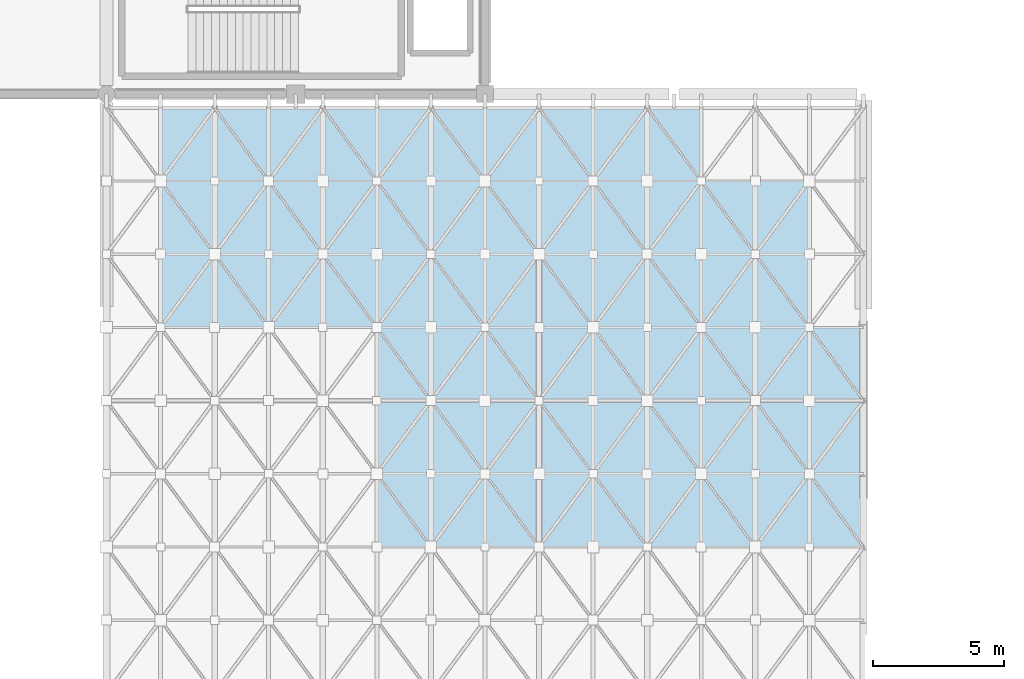
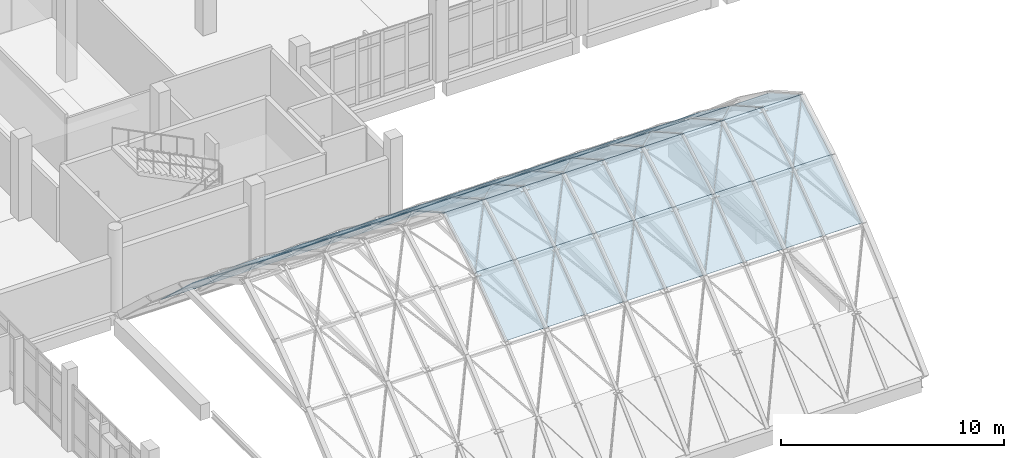
# One storey, part 64 of 87: 61 plates.
"""IFC4 building model written with IfcOpenShell, lengths in metres."""

from ifc_helpers import new_model, si_unit, direction, frame, origin, place, context, subcontext, project, spatial, polyline, outline, extrude, material, layer, layer_set, type_object, element, save


model = new_model("IFC4")

# Units and contexts
model_context = context("Model", 3, precision=1e-05, world=origin(), true_north=direction((0.0, 1.0)))
body_context = subcontext(model_context, "Body", "Model", "MODEL_VIEW")
ifc_project = project(units=[si_unit("LENGTHUNIT", "METRE"), si_unit("AREAUNIT", "SQUARE_METRE"), si_unit("VOLUMEUNIT", "CUBIC_METRE"), si_unit("PLANEANGLEUNIT", "RADIAN"), si_unit("MASSUNIT", "GRAM", prefix="KILO")], contexts=[model_context])

# Site, building, storey
site_placement = place(None, origin())
site = spatial("IfcSite", under=ifc_project, at=site_placement, CompositionType="ELEMENT")
building_placement = place(site_placement, origin())
building = spatial("IfcBuilding", under=site, at=building_placement, Name="Kalluvel Institute of Natural Sciences", CompositionType="ELEMENT")
storey_placement = place(building_placement, frame((0.0, 0.0, 18.89990234375)))
storey = spatial("IfcBuildingStorey", under=building, at=storey_placement, Name="L04", CompositionType="ELEMENT", Elevation=18.89990234375)

# Plates
ifc_material = material(Name="Solar-Control Low-E Laminated Glass", Category="glass")
ifc_layer = layer(ifc_material, 0.035888671875)
ifc_layer_set = layer_set([ifc_layer], Name="Solar-Control Low-E Laminated Glass")
plate_type = type_object("IfcPlateType", Name="PL-VAULT-GLASS-36", PredefinedType="USERDEFINED", material=ifc_layer_set)
plate_1_placement = place(storey_placement, frame((44.857177734375, 85.52490234375, 7.11328125), z_axis=(0.0, 0.591185879843, 0.806535340499), x_axis=(1.0, 0.0, 0.0)))
element("IfcPlate", 1, at=plate_1_placement, inside=storey, type_object=plate_type, Name="Atrium glass gridshell vault roof panel 2.6", ObjectType="VAULT GLAZING PANEL", PredefinedType="USERDEFINED", context=body_context, shape_type="SweptSolid", body=[
    extrude(outline(polyline([(0.0, 0.0), (2.05712890625, 0.0), (2.05712890625, 3.4532352274567204), (0.0, 3.4532352274567204), (0.0, 0.0)])), origin(), (0.0, 0.0, -1.0), 0.035888671875),
])
plate_2_placement = place(storey_placement, frame((44.857177734375, 88.31005859375, 5.07177734375), z_axis=(0.0, 0.651732680748, 0.758448754264), x_axis=(1.0, 0.0, 0.0)))
element("IfcPlate", 2, at=plate_2_placement, inside=storey, type_object=plate_type, Name="Atrium glass gridshell vault roof panel 2.7", ObjectType="VAULT GLAZING PANEL", PredefinedType="USERDEFINED", context=body_context, shape_type="SweptSolid", body=[
    extrude(outline(polyline([(0.0, 0.0), (2.05712890625, 0.0), (2.05712890625, 3.6718527042442486), (0.0, 3.6718527042442486), (0.0, 0.0)])), origin(), (0.0, 0.0, -1.0), 0.035888671875),
])
plate_3_placement = place(storey_placement, frame((44.857177734375, 91.094970703125, 2.6787109375), z_axis=(0.0, 0.680098507525, 0.73312074044), x_axis=(1.0, 0.0, 0.0)))
element("IfcPlate", 3, at=plate_3_placement, inside=storey, type_object=plate_type, Name="Atrium glass gridshell vault roof panel 2.8", ObjectType="VAULT GLAZING PANEL", PredefinedType="USERDEFINED", context=body_context, shape_type="SweptSolid", body=[
    extrude(outline(polyline([(0.0, 0.0), (2.05712890625, 0.0), (2.05712890625, 3.798708665239415), (0.0, 3.798708665239415), (0.0, 0.0)])), origin(), (0.0, 0.0, -1.0), 0.035888671875),
])
plate_4_placement = place(storey_placement, frame((46.914306640625, 85.52490234375, 7.11328125), z_axis=(0.0, 0.591185879843, 0.806535340499), x_axis=(1.0, 0.0, 0.0)))
element("IfcPlate", 4, at=plate_4_placement, inside=storey, type_object=plate_type, Name="Atrium glass gridshell vault roof panel 3.6", ObjectType="VAULT GLAZING PANEL", PredefinedType="USERDEFINED", context=body_context, shape_type="SweptSolid", body=[
    extrude(outline(polyline([(0.0, 0.0), (2.05712890625, 0.0), (2.05712890625, 3.4532352274567204), (0.0, 3.4532352274567204), (0.0, 0.0)])), origin(), (0.0, 0.0, -1.0), 0.035888671875),
])
plate_5_placement = place(storey_placement, frame((46.914306640625, 88.31005859375, 5.07177734375), z_axis=(0.0, 0.651732680748, 0.758448754264), x_axis=(1.0, 0.0, 0.0)))
element("IfcPlate", 5, at=plate_5_placement, inside=storey, type_object=plate_type, Name="Atrium glass gridshell vault roof panel 3.7", ObjectType="VAULT GLAZING PANEL", PredefinedType="USERDEFINED", context=body_context, shape_type="SweptSolid", body=[
    extrude(outline(polyline([(0.0, 0.0), (2.05712890625, 0.0), (2.05712890625, 3.6718527042442486), (0.0, 3.6718527042442486), (0.0, 0.0)])), origin(), (0.0, 0.0, -1.0), 0.035888671875),
])
plate_6_placement = place(storey_placement, frame((46.914306640625, 91.094970703125, 2.6787109375), z_axis=(0.0, 0.680098507525, 0.73312074044), x_axis=(1.0, 0.0, 0.0)))
element("IfcPlate", 6, at=plate_6_placement, inside=storey, type_object=plate_type, Name="Atrium glass gridshell vault roof panel 3.8", ObjectType="VAULT GLAZING PANEL", PredefinedType="USERDEFINED", context=body_context, shape_type="SweptSolid", body=[
    extrude(outline(polyline([(0.0, 0.0), (2.05712890625, 0.0), (2.05712890625, 3.798708665239415), (0.0, 3.798708665239415), (0.0, 0.0)])), origin(), (0.0, 0.0, -1.0), 0.035888671875),
])
plate_7_placement = place(storey_placement, frame((48.971435546875, 85.52490234375, 7.11328125), z_axis=(0.0, 0.591185879843, 0.806535340499), x_axis=(1.0, 0.0, 0.0)))
element("IfcPlate", 7, at=plate_7_placement, inside=storey, type_object=plate_type, Name="Atrium glass gridshell vault roof panel 4.6", ObjectType="VAULT GLAZING PANEL", PredefinedType="USERDEFINED", context=body_context, shape_type="SweptSolid", body=[
    extrude(outline(polyline([(0.0, 0.0), (2.05712890625, 0.0), (2.05712890625, 3.4532352274567204), (0.0, 3.4532352274567204), (0.0, 0.0)])), origin(), (0.0, 0.0, -1.0), 0.035888671875),
])
plate_8_placement = place(storey_placement, frame((48.971435546875, 88.31005859375, 5.07177734375), z_axis=(0.0, 0.651732680748, 0.758448754264), x_axis=(1.0, 0.0, 0.0)))
element("IfcPlate", 8, at=plate_8_placement, inside=storey, type_object=plate_type, Name="Atrium glass gridshell vault roof panel 4.7", ObjectType="VAULT GLAZING PANEL", PredefinedType="USERDEFINED", context=body_context, shape_type="SweptSolid", body=[
    extrude(outline(polyline([(0.0, 0.0), (2.05712890625, 0.0), (2.05712890625, 3.6718527042442486), (0.0, 3.6718527042442486), (0.0, 0.0)])), origin(), (0.0, 0.0, -1.0), 0.035888671875),
])
plate_9_placement = place(storey_placement, frame((48.971435546875, 91.094970703125, 2.6787109375), z_axis=(0.0, 0.680098507525, 0.73312074044), x_axis=(1.0, 0.0, 0.0)))
element("IfcPlate", 9, at=plate_9_placement, inside=storey, type_object=plate_type, Name="Atrium glass gridshell vault roof panel 4.8", ObjectType="VAULT GLAZING PANEL", PredefinedType="USERDEFINED", context=body_context, shape_type="SweptSolid", body=[
    extrude(outline(polyline([(0.0, 0.0), (2.05712890625, 0.0), (2.05712890625, 3.798708665239415), (0.0, 3.798708665239415), (0.0, 0.0)])), origin(), (0.0, 0.0, -1.0), 0.035888671875),
])
plate_10_placement = place(storey_placement, frame((51.028564453125, 85.52490234375, 7.11328125), z_axis=(0.0, 0.591185879843, 0.806535340499), x_axis=(1.0, 0.0, 0.0)))
element("IfcPlate", 10, at=plate_10_placement, inside=storey, type_object=plate_type, Name="Atrium glass gridshell vault roof panel 5.6", ObjectType="VAULT GLAZING PANEL", PredefinedType="USERDEFINED", context=body_context, shape_type="SweptSolid", body=[
    extrude(outline(polyline([(0.0, 0.0), (2.05712890625, 0.0), (2.05712890625, 3.4532352274567204), (0.0, 3.4532352274567204), (0.0, 0.0)])), origin(), (0.0, 0.0, -1.0), 0.035888671875),
])
plate_11_placement = place(storey_placement, frame((51.028564453125, 88.31005859375, 5.07177734375), z_axis=(0.0, 0.651732680748, 0.758448754264), x_axis=(1.0, 0.0, 0.0)))
element("IfcPlate", 11, at=plate_11_placement, inside=storey, type_object=plate_type, Name="Atrium glass gridshell vault roof panel 5.7", ObjectType="VAULT GLAZING PANEL", PredefinedType="USERDEFINED", context=body_context, shape_type="SweptSolid", body=[
    extrude(outline(polyline([(0.0, 0.0), (2.05712890625, 0.0), (2.05712890625, 3.6718527042442486), (0.0, 3.6718527042442486), (0.0, 0.0)])), origin(), (0.0, 0.0, -1.0), 0.035888671875),
])
plate_12_placement = place(storey_placement, frame((51.028564453125, 91.094970703125, 2.6787109375), z_axis=(0.0, 0.680098507525, 0.73312074044), x_axis=(1.0, 0.0, 0.0)))
element("IfcPlate", 12, at=plate_12_placement, inside=storey, type_object=plate_type, Name="Atrium glass gridshell vault roof panel 5.8", ObjectType="VAULT GLAZING PANEL", PredefinedType="USERDEFINED", context=body_context, shape_type="SweptSolid", body=[
    extrude(outline(polyline([(0.0, 0.0), (2.05712890625, 0.0), (2.05712890625, 3.798708665239415), (0.0, 3.798708665239415), (0.0, 0.0)])), origin(), (0.0, 0.0, -1.0), 0.035888671875),
])
plate_13_placement = place(storey_placement, frame((53.085693359375, 77.169921875, 5.07177734375), z_axis=(0.0, -0.591185879843, 0.806535340499), x_axis=(1.0, 0.0, 0.0)))
element("IfcPlate", 13, at=plate_13_placement, inside=storey, type_object=plate_type, Name="Atrium glass gridshell vault roof panel 6.3", ObjectType="VAULT GLAZING PANEL", PredefinedType="USERDEFINED", context=body_context, shape_type="SweptSolid", body=[
    extrude(outline(polyline([(0.0, 0.0), (2.05712890625, 0.0), (2.05712890625, 3.4532352274567204), (0.0, 3.4532352274567204), (0.0, 0.0)])), origin(), (0.0, 0.0, -1.0), 0.035888671875),
])
for number, where, z_axis, x_axis, name in (
    (14, (53.085693359375, 79.955078125, 7.11328125), (0.0, -0.493879746442, 0.869530215722), (1.0, 0.0, 0.0), "Atrium glass gridshell vault roof panel 6.4"),
    (15, (53.085693359375, 82.739990234375, 8.695068359375), (0.0, 0.493879746442, 0.869530215722), (1.0, 0.0, 0.0), "Atrium glass gridshell vault roof panel 6.5"),
):
    element("IfcPlate", number, at=place(storey_placement, frame(where, z_axis=z_axis, x_axis=x_axis)), inside=storey, type_object=plate_type, Name=name, ObjectType="VAULT GLAZING PANEL", PredefinedType="USERDEFINED", context=body_context, shape_type="SweptSolid", body=[
        extrude(outline(polyline([(0.0, 0.0), (2.05712890625, 0.0), (2.05712890625, 3.2027778437363446), (0.0, 3.2027778437363446), (0.0, 0.0)])), origin(), (0.0, 0.0, -1.0), 0.035888671875),
    ])
plate_14_placement = place(storey_placement, frame((53.085693359375, 85.52490234375, 7.11328125), z_axis=(0.0, 0.591185879843, 0.806535340499), x_axis=(1.0, 0.0, 0.0)))
element("IfcPlate", 16, at=plate_14_placement, inside=storey, type_object=plate_type, Name="Atrium glass gridshell vault roof panel 6.6", ObjectType="VAULT GLAZING PANEL", PredefinedType="USERDEFINED", context=body_context, shape_type="SweptSolid", body=[
    extrude(outline(polyline([(0.0, 0.0), (2.05712890625, 0.0), (2.05712890625, 3.4532352274567204), (0.0, 3.4532352274567204), (0.0, 0.0)])), origin(), (0.0, 0.0, -1.0), 0.035888671875),
])
plate_15_placement = place(storey_placement, frame((53.085693359375, 88.31005859375, 5.07177734375), z_axis=(0.0, 0.651732680748, 0.758448754264), x_axis=(1.0, 0.0, 0.0)))
element("IfcPlate", 17, at=plate_15_placement, inside=storey, type_object=plate_type, Name="Atrium glass gridshell vault roof panel 6.7", ObjectType="VAULT GLAZING PANEL", PredefinedType="USERDEFINED", context=body_context, shape_type="SweptSolid", body=[
    extrude(outline(polyline([(0.0, 0.0), (2.05712890625, 0.0), (2.05712890625, 3.6718527042442486), (0.0, 3.6718527042442486), (0.0, 0.0)])), origin(), (0.0, 0.0, -1.0), 0.035888671875),
])
plate_16_placement = place(storey_placement, frame((53.085693359375, 91.094970703125, 2.6787109375), z_axis=(0.0, 0.680098507525, 0.73312074044), x_axis=(1.0, 0.0, 0.0)))
element("IfcPlate", 18, at=plate_16_placement, inside=storey, type_object=plate_type, Name="Atrium glass gridshell vault roof panel 6.8", ObjectType="VAULT GLAZING PANEL", PredefinedType="USERDEFINED", context=body_context, shape_type="SweptSolid", body=[
    extrude(outline(polyline([(0.0, 0.0), (2.05712890625, 0.0), (2.05712890625, 3.798708665239415), (0.0, 3.798708665239415), (0.0, 0.0)])), origin(), (0.0, 0.0, -1.0), 0.035888671875),
])
plate_17_placement = place(storey_placement, frame((55.142822265625, 77.169921875, 5.07177734375), z_axis=(0.0, -0.591185879843, 0.806535340499), x_axis=(1.0, 0.0, 0.0)))
element("IfcPlate", 19, at=plate_17_placement, inside=storey, type_object=plate_type, Name="Atrium glass gridshell vault roof panel 7.3", ObjectType="VAULT GLAZING PANEL", PredefinedType="USERDEFINED", context=body_context, shape_type="SweptSolid", body=[
    extrude(outline(polyline([(0.0, 0.0), (2.05712890625, 0.0), (2.05712890625, 3.4532352274567204), (0.0, 3.4532352274567204), (0.0, 0.0)])), origin(), (0.0, 0.0, -1.0), 0.035888671875),
])
for number, where, z_axis, x_axis, name in (
    (20, (55.142822265625, 79.955078125, 7.11328125), (0.0, -0.493879746442, 0.869530215722), (1.0, 0.0, 0.0), "Atrium glass gridshell vault roof panel 7.4"),
    (21, (55.142822265625, 82.739990234375, 8.695068359375), (0.0, 0.493879746442, 0.869530215722), (1.0, 0.0, 0.0), "Atrium glass gridshell vault roof panel 7.5"),
):
    element("IfcPlate", number, at=place(storey_placement, frame(where, z_axis=z_axis, x_axis=x_axis)), inside=storey, type_object=plate_type, Name=name, ObjectType="VAULT GLAZING PANEL", PredefinedType="USERDEFINED", context=body_context, shape_type="SweptSolid", body=[
        extrude(outline(polyline([(0.0, 0.0), (2.05712890625, 0.0), (2.05712890625, 3.2027778437363446), (0.0, 3.2027778437363446), (0.0, 0.0)])), origin(), (0.0, 0.0, -1.0), 0.035888671875),
    ])
plate_18_placement = place(storey_placement, frame((55.142822265625, 85.52490234375, 7.11328125), z_axis=(0.0, 0.591185879843, 0.806535340499), x_axis=(1.0, 0.0, 0.0)))
element("IfcPlate", 22, at=plate_18_placement, inside=storey, type_object=plate_type, Name="Atrium glass gridshell vault roof panel 7.6", ObjectType="VAULT GLAZING PANEL", PredefinedType="USERDEFINED", context=body_context, shape_type="SweptSolid", body=[
    extrude(outline(polyline([(0.0, 0.0), (2.05712890625, 0.0), (2.05712890625, 3.4532352274567204), (0.0, 3.4532352274567204), (0.0, 0.0)])), origin(), (0.0, 0.0, -1.0), 0.035888671875),
])
plate_19_placement = place(storey_placement, frame((55.142822265625, 88.31005859375, 5.07177734375), z_axis=(0.0, 0.651732680748, 0.758448754264), x_axis=(1.0, 0.0, 0.0)))
element("IfcPlate", 23, at=plate_19_placement, inside=storey, type_object=plate_type, Name="Atrium glass gridshell vault roof panel 7.7", ObjectType="VAULT GLAZING PANEL", PredefinedType="USERDEFINED", context=body_context, shape_type="SweptSolid", body=[
    extrude(outline(polyline([(0.0, 0.0), (2.05712890625, 0.0), (2.05712890625, 3.6718527042442486), (0.0, 3.6718527042442486), (0.0, 0.0)])), origin(), (0.0, 0.0, -1.0), 0.035888671875),
])
plate_20_placement = place(storey_placement, frame((55.142822265625, 91.094970703125, 2.6787109375), z_axis=(0.0, 0.680098507525, 0.73312074044), x_axis=(1.0, 0.0, 0.0)))
element("IfcPlate", 24, at=plate_20_placement, inside=storey, type_object=plate_type, Name="Atrium glass gridshell vault roof panel 7.8", ObjectType="VAULT GLAZING PANEL", PredefinedType="USERDEFINED", context=body_context, shape_type="SweptSolid", body=[
    extrude(outline(polyline([(0.0, 0.0), (2.05712890625, 0.0), (2.05712890625, 3.798708665239415), (0.0, 3.798708665239415), (0.0, 0.0)])), origin(), (0.0, 0.0, -1.0), 0.035888671875),
])
plate_21_placement = place(storey_placement, frame((57.199951171875, 77.169921875, 5.07177734375), z_axis=(0.0, -0.591185879843, 0.806535340499), x_axis=(1.0, 0.0, 0.0)))
element("IfcPlate", 25, at=plate_21_placement, inside=storey, type_object=plate_type, Name="Atrium glass gridshell vault roof panel 8.3", ObjectType="VAULT GLAZING PANEL", PredefinedType="USERDEFINED", context=body_context, shape_type="SweptSolid", body=[
    extrude(outline(polyline([(0.0, 0.0), (2.05712890625, 0.0), (2.05712890625, 3.4532352274567204), (0.0, 3.4532352274567204), (0.0, 0.0)])), origin(), (0.0, 0.0, -1.0), 0.035888671875),
])
for number, where, z_axis, x_axis, name in (
    (26, (57.199951171875, 79.955078125, 7.11328125), (0.0, -0.493879746442, 0.869530215722), (1.0, 0.0, 0.0), "Atrium glass gridshell vault roof panel 8.4"),
    (27, (57.199951171875, 82.739990234375, 8.695068359375), (0.0, 0.493879746442, 0.869530215722), (1.0, 0.0, 0.0), "Atrium glass gridshell vault roof panel 8.5"),
):
    element("IfcPlate", number, at=place(storey_placement, frame(where, z_axis=z_axis, x_axis=x_axis)), inside=storey, type_object=plate_type, Name=name, ObjectType="VAULT GLAZING PANEL", PredefinedType="USERDEFINED", context=body_context, shape_type="SweptSolid", body=[
        extrude(outline(polyline([(0.0, 0.0), (2.05712890625, 0.0), (2.05712890625, 3.2027778437363446), (0.0, 3.2027778437363446), (0.0, 0.0)])), origin(), (0.0, 0.0, -1.0), 0.035888671875),
    ])
plate_22_placement = place(storey_placement, frame((57.199951171875, 85.52490234375, 7.11328125), z_axis=(0.0, 0.591185879843, 0.806535340499), x_axis=(1.0, 0.0, 0.0)))
element("IfcPlate", 28, at=plate_22_placement, inside=storey, type_object=plate_type, Name="Atrium glass gridshell vault roof panel 8.6", ObjectType="VAULT GLAZING PANEL", PredefinedType="USERDEFINED", context=body_context, shape_type="SweptSolid", body=[
    extrude(outline(polyline([(0.0, 0.0), (2.05712890625, 0.0), (2.05712890625, 3.4532352274567204), (0.0, 3.4532352274567204), (0.0, 0.0)])), origin(), (0.0, 0.0, -1.0), 0.035888671875),
])
plate_23_placement = place(storey_placement, frame((57.199951171875, 88.31005859375, 5.07177734375), z_axis=(0.0, 0.651732680748, 0.758448754264), x_axis=(1.0, 0.0, 0.0)))
element("IfcPlate", 29, at=plate_23_placement, inside=storey, type_object=plate_type, Name="Atrium glass gridshell vault roof panel 8.7", ObjectType="VAULT GLAZING PANEL", PredefinedType="USERDEFINED", context=body_context, shape_type="SweptSolid", body=[
    extrude(outline(polyline([(0.0, 0.0), (2.05712890625, 0.0), (2.05712890625, 3.6718527042442486), (0.0, 3.6718527042442486), (0.0, 0.0)])), origin(), (0.0, 0.0, -1.0), 0.035888671875),
])
plate_24_placement = place(storey_placement, frame((57.199951171875, 91.094970703125, 2.6787109375), z_axis=(0.0, 0.680098507525, 0.73312074044), x_axis=(1.0, 0.0, 0.0)))
element("IfcPlate", 30, at=plate_24_placement, inside=storey, type_object=plate_type, Name="Atrium glass gridshell vault roof panel 8.8", ObjectType="VAULT GLAZING PANEL", PredefinedType="USERDEFINED", context=body_context, shape_type="SweptSolid", body=[
    extrude(outline(polyline([(0.0, 0.0), (2.05712890625, 0.0), (2.05712890625, 3.798708665239415), (0.0, 3.798708665239415), (0.0, 0.0)])), origin(), (0.0, 0.0, -1.0), 0.035888671875),
])
plate_25_placement = place(storey_placement, frame((59.257080078125, 77.169921875, 5.07177734375), z_axis=(0.0, -0.591185879843, 0.806535340499), x_axis=(1.0, 0.0, 0.0)))
element("IfcPlate", 31, at=plate_25_placement, inside=storey, type_object=plate_type, Name="Atrium glass gridshell vault roof panel 9.3", ObjectType="VAULT GLAZING PANEL", PredefinedType="USERDEFINED", context=body_context, shape_type="SweptSolid", body=[
    extrude(outline(polyline([(0.0, 0.0), (2.05712890625, 0.0), (2.05712890625, 3.4532352274567204), (0.0, 3.4532352274567204), (0.0, 0.0)])), origin(), (0.0, 0.0, -1.0), 0.035888671875),
])
for number, where, z_axis, x_axis, name in (
    (32, (59.257080078125, 79.955078125, 7.11328125), (0.0, -0.493879746442, 0.869530215722), (1.0, 0.0, 0.0), "Atrium glass gridshell vault roof panel 9.4"),
    (33, (59.257080078125, 82.739990234375, 8.695068359375), (0.0, 0.493879746442, 0.869530215722), (1.0, 0.0, 0.0), "Atrium glass gridshell vault roof panel 9.5"),
):
    element("IfcPlate", number, at=place(storey_placement, frame(where, z_axis=z_axis, x_axis=x_axis)), inside=storey, type_object=plate_type, Name=name, ObjectType="VAULT GLAZING PANEL", PredefinedType="USERDEFINED", context=body_context, shape_type="SweptSolid", body=[
        extrude(outline(polyline([(0.0, 0.0), (2.05712890625, 0.0), (2.05712890625, 3.2027778437363446), (0.0, 3.2027778437363446), (0.0, 0.0)])), origin(), (0.0, 0.0, -1.0), 0.035888671875),
    ])
plate_26_placement = place(storey_placement, frame((59.257080078125, 85.52490234375, 7.11328125), z_axis=(0.0, 0.591185879843, 0.806535340499), x_axis=(1.0, 0.0, 0.0)))
element("IfcPlate", 34, at=plate_26_placement, inside=storey, type_object=plate_type, Name="Atrium glass gridshell vault roof panel 9.6", ObjectType="VAULT GLAZING PANEL", PredefinedType="USERDEFINED", context=body_context, shape_type="SweptSolid", body=[
    extrude(outline(polyline([(0.0, 0.0), (2.05712890625, 0.0), (2.05712890625, 3.4532352274567204), (0.0, 3.4532352274567204), (0.0, 0.0)])), origin(), (0.0, 0.0, -1.0), 0.035888671875),
])
plate_27_placement = place(storey_placement, frame((59.257080078125, 88.31005859375, 5.07177734375), z_axis=(0.0, 0.651732680748, 0.758448754264), x_axis=(1.0, 0.0, 0.0)))
element("IfcPlate", 35, at=plate_27_placement, inside=storey, type_object=plate_type, Name="Atrium glass gridshell vault roof panel 9.7", ObjectType="VAULT GLAZING PANEL", PredefinedType="USERDEFINED", context=body_context, shape_type="SweptSolid", body=[
    extrude(outline(polyline([(0.0, 0.0), (2.05712890625, 0.0), (2.05712890625, 3.6718527042442486), (0.0, 3.6718527042442486), (0.0, 0.0)])), origin(), (0.0, 0.0, -1.0), 0.035888671875),
])
plate_28_placement = place(storey_placement, frame((59.257080078125, 91.094970703125, 2.6787109375), z_axis=(0.0, 0.680098507525, 0.73312074044), x_axis=(1.0, 0.0, 0.0)))
element("IfcPlate", 36, at=plate_28_placement, inside=storey, type_object=plate_type, Name="Atrium glass gridshell vault roof panel 9.8", ObjectType="VAULT GLAZING PANEL", PredefinedType="USERDEFINED", context=body_context, shape_type="SweptSolid", body=[
    extrude(outline(polyline([(0.0, 0.0), (2.05712890625, 0.0), (2.05712890625, 3.798708665239415), (0.0, 3.798708665239415), (0.0, 0.0)])), origin(), (0.0, 0.0, -1.0), 0.035888671875),
])
plate_29_placement = place(storey_placement, frame((61.314208984375, 77.169921875, 5.07177734375), z_axis=(0.0, -0.591185879843, 0.806535340499), x_axis=(1.0, 0.0, 0.0)))
element("IfcPlate", 37, at=plate_29_placement, inside=storey, type_object=plate_type, Name="Atrium glass gridshell vault roof panel 10.3", ObjectType="VAULT GLAZING PANEL", PredefinedType="USERDEFINED", context=body_context, shape_type="SweptSolid", body=[
    extrude(outline(polyline([(0.0, 0.0), (2.05712890625, 0.0), (2.05712890625, 3.4532352274567204), (0.0, 3.4532352274567204), (0.0, 0.0)])), origin(), (0.0, 0.0, -1.0), 0.035888671875),
])
for number, where, z_axis, x_axis, name in (
    (38, (61.314208984375, 79.955078125, 7.11328125), (0.0, -0.493879746442, 0.869530215722), (1.0, 0.0, 0.0), "Atrium glass gridshell vault roof panel 10.4"),
    (39, (61.314208984375, 82.739990234375, 8.695068359375), (0.0, 0.493879746442, 0.869530215722), (1.0, 0.0, 0.0), "Atrium glass gridshell vault roof panel 10.5"),
):
    element("IfcPlate", number, at=place(storey_placement, frame(where, z_axis=z_axis, x_axis=x_axis)), inside=storey, type_object=plate_type, Name=name, ObjectType="VAULT GLAZING PANEL", PredefinedType="USERDEFINED", context=body_context, shape_type="SweptSolid", body=[
        extrude(outline(polyline([(0.0, 0.0), (2.05712890625, 0.0), (2.05712890625, 3.2027778437363446), (0.0, 3.2027778437363446), (0.0, 0.0)])), origin(), (0.0, 0.0, -1.0), 0.035888671875),
    ])
plate_30_placement = place(storey_placement, frame((61.314208984375, 85.52490234375, 7.11328125), z_axis=(0.0, 0.591185879843, 0.806535340499), x_axis=(1.0, 0.0, 0.0)))
element("IfcPlate", 40, at=plate_30_placement, inside=storey, type_object=plate_type, Name="Atrium glass gridshell vault roof panel 10.6", ObjectType="VAULT GLAZING PANEL", PredefinedType="USERDEFINED", context=body_context, shape_type="SweptSolid", body=[
    extrude(outline(polyline([(0.0, 0.0), (2.05712890625, 0.0), (2.05712890625, 3.4532352274567204), (0.0, 3.4532352274567204), (0.0, 0.0)])), origin(), (0.0, 0.0, -1.0), 0.035888671875),
])
plate_31_placement = place(storey_placement, frame((61.314208984375, 88.31005859375, 5.07177734375), z_axis=(0.0, 0.651732680748, 0.758448754264), x_axis=(1.0, 0.0, 0.0)))
element("IfcPlate", 41, at=plate_31_placement, inside=storey, type_object=plate_type, Name="Atrium glass gridshell vault roof panel 10.7", ObjectType="VAULT GLAZING PANEL", PredefinedType="USERDEFINED", context=body_context, shape_type="SweptSolid", body=[
    extrude(outline(polyline([(0.0, 0.0), (2.05712890625, 0.0), (2.05712890625, 3.6718527042442486), (0.0, 3.6718527042442486), (0.0, 0.0)])), origin(), (0.0, 0.0, -1.0), 0.035888671875),
])
plate_32_placement = place(storey_placement, frame((61.314208984375, 91.094970703125, 2.6787109375), z_axis=(0.0, 0.680098507525, 0.73312074044), x_axis=(1.0, 0.0, 0.0)))
element("IfcPlate", 42, at=plate_32_placement, inside=storey, type_object=plate_type, Name="Atrium glass gridshell vault roof panel 10.8", ObjectType="VAULT GLAZING PANEL", PredefinedType="USERDEFINED", context=body_context, shape_type="SweptSolid", body=[
    extrude(outline(polyline([(0.0, 0.0), (2.05712890625, 0.0), (2.05712890625, 3.798708665239415), (0.0, 3.798708665239415), (0.0, 0.0)])), origin(), (0.0, 0.0, -1.0), 0.035888671875),
])
plate_33_placement = place(storey_placement, frame((63.371337890625, 77.169921875, 5.07177734375), z_axis=(0.0, -0.591185879843, 0.806535340499), x_axis=(1.0, 0.0, 0.0)))
element("IfcPlate", 43, at=plate_33_placement, inside=storey, type_object=plate_type, Name="Atrium glass gridshell vault roof panel 11.3", ObjectType="VAULT GLAZING PANEL", PredefinedType="USERDEFINED", context=body_context, shape_type="SweptSolid", body=[
    extrude(outline(polyline([(0.0, 0.0), (2.057373046875, 0.0), (2.057373046875, 3.4532352274567204), (0.0, 3.4532352274567204), (0.0, 0.0)])), origin(), (0.0, 0.0, -1.0), 0.035888671875),
])
for number, where, z_axis, x_axis, name in (
    (44, (63.371337890625, 79.955078125, 7.11328125), (0.0, -0.493879746442, 0.869530215722), (1.0, 0.0, 0.0), "Atrium glass gridshell vault roof panel 11.4"),
    (45, (63.371337890625, 82.739990234375, 8.695068359375), (0.0, 0.493879746442, 0.869530215722), (1.0, 0.0, 0.0), "Atrium glass gridshell vault roof panel 11.5"),
):
    element("IfcPlate", number, at=place(storey_placement, frame(where, z_axis=z_axis, x_axis=x_axis)), inside=storey, type_object=plate_type, Name=name, ObjectType="VAULT GLAZING PANEL", PredefinedType="USERDEFINED", context=body_context, shape_type="SweptSolid", body=[
        extrude(outline(polyline([(0.0, 0.0), (2.057373046875, 0.0), (2.057373046875, 3.202777843736345), (0.0, 3.202777843736345), (0.0, 0.0)])), origin(), (0.0, 0.0, -1.0), 0.035888671875),
    ])
plate_34_placement = place(storey_placement, frame((63.371337890625, 85.52490234375, 7.11328125), z_axis=(0.0, 0.591185879843, 0.806535340499), x_axis=(1.0, 0.0, 0.0)))
element("IfcPlate", 46, at=plate_34_placement, inside=storey, type_object=plate_type, Name="Atrium glass gridshell vault roof panel 11.6", ObjectType="VAULT GLAZING PANEL", PredefinedType="USERDEFINED", context=body_context, shape_type="SweptSolid", body=[
    extrude(outline(polyline([(0.0, 0.0), (2.057373046875, 0.0), (2.057373046875, 3.4532352274567204), (0.0, 3.4532352274567204), (0.0, 0.0)])), origin(), (0.0, 0.0, -1.0), 0.035888671875),
])
plate_35_placement = place(storey_placement, frame((63.371337890625, 88.31005859375, 5.07177734375), z_axis=(0.0, 0.651732680748, 0.758448754264), x_axis=(1.0, 0.0, 0.0)))
element("IfcPlate", 47, at=plate_35_placement, inside=storey, type_object=plate_type, Name="Atrium glass gridshell vault roof panel 11.7", ObjectType="VAULT GLAZING PANEL", PredefinedType="USERDEFINED", context=body_context, shape_type="SweptSolid", body=[
    extrude(outline(polyline([(0.0, 0.0), (2.057373046875, 0.0), (2.057373046875, 3.671852704244249), (0.0, 3.671852704244249), (0.0, 0.0)])), origin(), (0.0, 0.0, -1.0), 0.035888671875),
])
plate_36_placement = place(storey_placement, frame((63.371337890625, 91.094970703125, 2.6787109375), z_axis=(0.0, 0.680098507525, 0.73312074044), x_axis=(1.0, 0.0, 0.0)))
element("IfcPlate", 48, at=plate_36_placement, inside=storey, type_object=plate_type, Name="Atrium glass gridshell vault roof panel 11.8", ObjectType="VAULT GLAZING PANEL", PredefinedType="USERDEFINED", context=body_context, shape_type="SweptSolid", body=[
    extrude(outline(polyline([(0.0, 0.0), (2.057373046875, 0.0), (2.057373046875, 3.7987086652394155), (0.0, 3.7987086652394155), (0.0, 0.0)])), origin(), (0.0, 0.0, -1.0), 0.035888671875),
])
plate_37_placement = place(storey_placement, frame((65.4287109375, 77.169921875, 5.07177734375), z_axis=(0.0, -0.591185879843, 0.806535340499), x_axis=(1.0, 0.0, 0.0)))
element("IfcPlate", 49, at=plate_37_placement, inside=storey, type_object=plate_type, Name="Atrium glass gridshell vault roof panel 12.3", ObjectType="VAULT GLAZING PANEL", PredefinedType="USERDEFINED", context=body_context, shape_type="SweptSolid", body=[
    extrude(outline(polyline([(0.0, 0.0), (2.056884765625, 0.0), (2.056884765625, 3.4532352274567204), (0.0, 3.4532352274567204), (0.0, 0.0)])), origin(), (0.0, 0.0, -1.0), 0.035888671875),
])
for number, where, z_axis, x_axis, name in (
    (50, (65.4287109375, 79.955078125, 7.11328125), (0.0, -0.493879746442, 0.869530215722), (1.0, 0.0, 0.0), "Atrium glass gridshell vault roof panel 12.4"),
    (51, (65.4287109375, 82.739990234375, 8.695068359375), (0.0, 0.493879746442, 0.869530215722), (1.0, 0.0, 0.0), "Atrium glass gridshell vault roof panel 12.5"),
):
    element("IfcPlate", number, at=place(storey_placement, frame(where, z_axis=z_axis, x_axis=x_axis)), inside=storey, type_object=plate_type, Name=name, ObjectType="VAULT GLAZING PANEL", PredefinedType="USERDEFINED", context=body_context, shape_type="SweptSolid", body=[
        extrude(outline(polyline([(0.0, 0.0), (2.056884765625, 0.0), (2.056884765625, 3.2027778437363454), (0.0, 3.2027778437363454), (0.0, 0.0)])), origin(), (0.0, 0.0, -1.0), 0.035888671875),
    ])
plate_38_placement = place(storey_placement, frame((65.4287109375, 85.52490234375, 7.11328125), z_axis=(0.0, 0.591185879843, 0.806535340499), x_axis=(1.0, 0.0, 0.0)))
element("IfcPlate", 52, at=plate_38_placement, inside=storey, type_object=plate_type, Name="Atrium glass gridshell vault roof panel 12.6", ObjectType="VAULT GLAZING PANEL", PredefinedType="USERDEFINED", context=body_context, shape_type="SweptSolid", body=[
    extrude(outline(polyline([(0.0, 0.0), (2.056884765625, 0.0), (2.056884765625, 3.4532352274567204), (0.0, 3.4532352274567204), (0.0, 0.0)])), origin(), (0.0, 0.0, -1.0), 0.035888671875),
])
plate_39_placement = place(storey_placement, frame((65.4287109375, 88.31005859375, 5.07177734375), z_axis=(0.0, 0.651732680748, 0.758448754264), x_axis=(1.0, 0.0, 0.0)))
element("IfcPlate", 53, at=plate_39_placement, inside=storey, type_object=plate_type, Name="Atrium glass gridshell vault roof panel 12.7", ObjectType="VAULT GLAZING PANEL", PredefinedType="USERDEFINED", context=body_context, shape_type="SweptSolid", body=[
    extrude(outline(polyline([(0.0, 0.0), (2.056884765625, 0.0), (2.056884765625, 3.6718527042442486), (0.0, 3.6718527042442486), (0.0, 0.0)])), origin(), (0.0, 0.0, -1.0), 0.035888671875),
])
plate_40_placement = place(storey_placement, frame((67.485595703125, 77.169921875, 5.07177734375), z_axis=(0.0, -0.591185879843, 0.806535340499), x_axis=(1.0, 0.0, 0.0)))
element("IfcPlate", 54, at=plate_40_placement, inside=storey, type_object=plate_type, Name="Atrium glass gridshell vault roof panel 13.3", ObjectType="VAULT GLAZING PANEL", PredefinedType="USERDEFINED", context=body_context, shape_type="SweptSolid", body=[
    extrude(outline(polyline([(0.0, 0.0), (2.057373046875, 0.0), (2.057373046875, 3.4532352274567204), (0.0, 3.4532352274567204), (0.0, 0.0)])), origin(), (0.0, 0.0, -1.0), 0.035888671875),
])
for number, where, z_axis, x_axis, name in (
    (55, (67.485595703125, 79.955078125, 7.11328125), (0.0, -0.493879746442, 0.869530215722), (1.0, 0.0, 0.0), "Atrium glass gridshell vault roof panel 13.4"),
    (56, (67.485595703125, 82.739990234375, 8.695068359375), (0.0, 0.493879746442, 0.869530215722), (1.0, 0.0, 0.0), "Atrium glass gridshell vault roof panel 13.5"),
):
    element("IfcPlate", number, at=place(storey_placement, frame(where, z_axis=z_axis, x_axis=x_axis)), inside=storey, type_object=plate_type, Name=name, ObjectType="VAULT GLAZING PANEL", PredefinedType="USERDEFINED", context=body_context, shape_type="SweptSolid", body=[
        extrude(outline(polyline([(0.0, 0.0), (2.057373046875, 0.0), (2.057373046875, 3.202777843736345), (0.0, 3.202777843736345), (0.0, 0.0)])), origin(), (0.0, 0.0, -1.0), 0.035888671875),
    ])
plate_41_placement = place(storey_placement, frame((67.485595703125, 85.52490234375, 7.11328125), z_axis=(0.0, 0.591185879843, 0.806535340499), x_axis=(1.0, 0.0, 0.0)))
element("IfcPlate", 57, at=plate_41_placement, inside=storey, type_object=plate_type, Name="Atrium glass gridshell vault roof panel 13.6", ObjectType="VAULT GLAZING PANEL", PredefinedType="USERDEFINED", context=body_context, shape_type="SweptSolid", body=[
    extrude(outline(polyline([(0.0, 0.0), (2.057373046875, 0.0), (2.057373046875, 3.4532352274567204), (0.0, 3.4532352274567204), (0.0, 0.0)])), origin(), (0.0, 0.0, -1.0), 0.035888671875),
])
plate_42_placement = place(storey_placement, frame((67.485595703125, 88.31005859375, 5.07177734375), z_axis=(0.0, 0.651732680748, 0.758448754264), x_axis=(1.0, 0.0, 0.0)))
element("IfcPlate", 58, at=plate_42_placement, inside=storey, type_object=plate_type, Name="Atrium glass gridshell vault roof panel 13.7", ObjectType="VAULT GLAZING PANEL", PredefinedType="USERDEFINED", context=body_context, shape_type="SweptSolid", body=[
    extrude(outline(polyline([(0.0, 0.0), (2.057373046875, 0.0), (2.057373046875, 3.671852704244249), (0.0, 3.671852704244249), (0.0, 0.0)])), origin(), (0.0, 0.0, -1.0), 0.035888671875),
])
plate_43_placement = place(storey_placement, frame((69.54296875, 77.169921875, 5.07177734375), z_axis=(0.0, -0.591185879843, 0.806535340499), x_axis=(1.0, 0.0, 0.0)))
element("IfcPlate", 59, at=plate_43_placement, inside=storey, type_object=plate_type, Name="Atrium glass gridshell vault roof panel 14.3", ObjectType="VAULT GLAZING PANEL", PredefinedType="USERDEFINED", context=body_context, shape_type="SweptSolid", body=[
    extrude(outline(polyline([(0.0, 0.0), (2.05712890625, 0.0), (2.05712890625, 3.4532352274567204), (0.0, 3.4532352274567204), (0.0, 0.0)])), origin(), (0.0, 0.0, -1.0), 0.035888671875),
])
for number, where, z_axis, x_axis, name in (
    (60, (69.54296875, 79.955078125, 7.11328125), (0.0, -0.493879746442, 0.869530215722), (1.0, 0.0, 0.0), "Atrium glass gridshell vault roof panel 14.4"),
    (61, (69.54296875, 82.739990234375, 8.695068359375), (0.0, 0.493879746442, 0.869530215722), (1.0, 0.0, 0.0), "Atrium glass gridshell vault roof panel 14.5"),
):
    element("IfcPlate", number, at=place(storey_placement, frame(where, z_axis=z_axis, x_axis=x_axis)), inside=storey, type_object=plate_type, Name=name, ObjectType="VAULT GLAZING PANEL", PredefinedType="USERDEFINED", context=body_context, shape_type="SweptSolid", body=[
        extrude(outline(polyline([(0.0, 0.0), (2.05712890625, 0.0), (2.05712890625, 3.2027778437363446), (0.0, 3.2027778437363446), (0.0, 0.0)])), origin(), (0.0, 0.0, -1.0), 0.035888671875),
    ])

save(model, "model.ifc")
